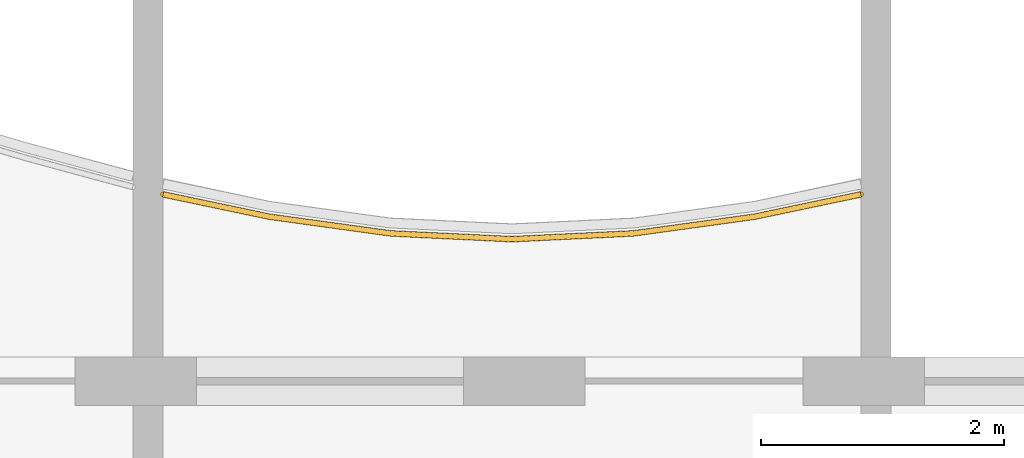
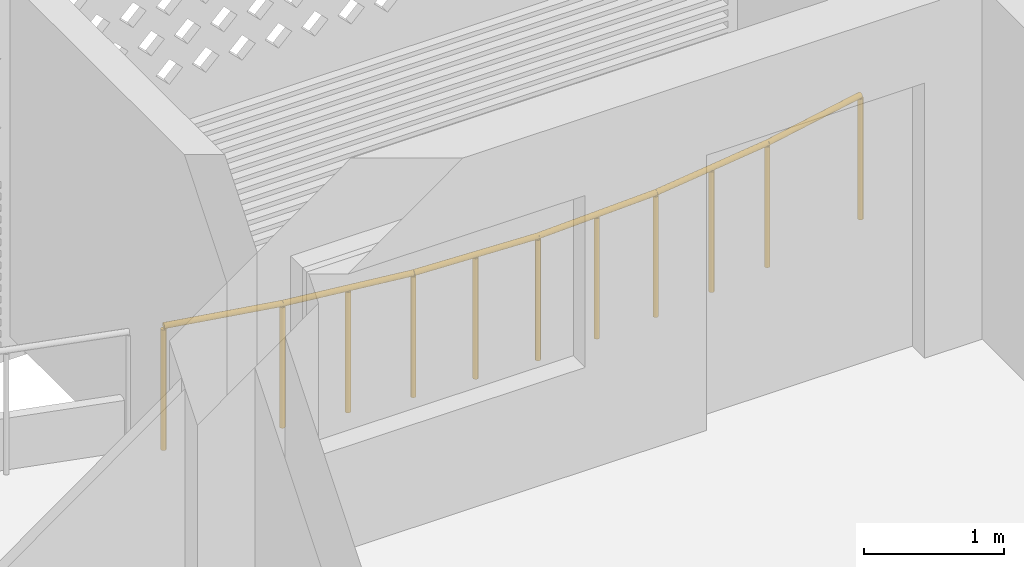
# One storey, part 18 of 27: 1 railing.
"""IFC4 building model written with IfcOpenShell, lengths in metres."""

from ifc_helpers import new_model, si_unit, direction, frame, origin, origin_2d, place, context, subcontext, project, spatial, circle, extrude, material, type_object, element, save


model = new_model("IFC4")

# Units and contexts
model_context = context("Model", 3, precision=1e-05, world=origin(), true_north=direction((0.0, 1.0)))
body_context = subcontext(model_context, "Body", "Model", "MODEL_VIEW")
ifc_project = project(units=[si_unit("LENGTHUNIT", "METRE"), si_unit("AREAUNIT", "SQUARE_METRE"), si_unit("VOLUMEUNIT", "CUBIC_METRE"), si_unit("PLANEANGLEUNIT", "RADIAN"), si_unit("MASSUNIT", "GRAM", prefix="KILO")], contexts=[model_context])

# Site, building, storey
site_placement = place(None, origin())
site = spatial("IfcSite", under=ifc_project, at=site_placement, CompositionType="ELEMENT")
building_placement = place(site_placement, origin())
building = spatial("IfcBuilding", under=site, at=building_placement, Name="Poui Terraces", CompositionType="ELEMENT")
storey_placement = place(building_placement, frame((0.0, 0.0, 251.10009765625)))
storey = spatial("IfcBuildingStorey", under=building, at=storey_placement, Name="L70", CompositionType="ELEMENT", Elevation=251.10009765625)

# Railing
ifc_material = material(Name="Painted steel fretwork", Category="steel")
railing_type = type_object("IfcRailingType", Name="BALCONY GUARD 1100", PredefinedType="GUARDRAIL", material=ifc_material)
railing_placement = place(storey_placement, frame((36.125, 42.7392578125, 0.0)))
element("IfcRailing", 1, at=railing_placement, inside=storey, type_object=railing_type, Name="BALCONY GUARD", PredefinedType="GUARDRAIL", context=body_context, shape_type="SweptSolid", body=[
    extrude(circle(Radius=0.02392578125, at=origin_2d()), frame((0.0, 0.0, 1.076171875), z_axis=(0.978633720926, -0.205611381657, 0.0), x_axis=(0.205611381657, 0.978633720926, 0.0)), (0.0, 0.0, 1.0), 0.89404296875),
    extrude(circle(Radius=0.02392578125, at=origin_2d()), frame((0.875, -0.183837890625, 1.076171875), z_axis=(0.990620000385, -0.136645581108, 0.0), x_axis=(0.136645581108, 0.990620000385, 0.0)), (0.0, 0.0, 1.0), 1.009521484375),
    extrude(circle(Radius=0.02392578125, at=origin_2d()), frame((1.875, -0.32177734375, 1.076171875), z_axis=(0.998880243389, -0.047310245903, 0.0), x_axis=(0.047310245903, 0.998880243389, 0.0)), (0.0, 0.0, 1.0), 1.001220703125),
    extrude(circle(Radius=0.02392578125, at=origin_2d()), frame((2.875, -0.369140625, 1.076171875), z_axis=(0.998880243389, 0.047310245903, 0.0), x_axis=(-0.047310245903, 0.998880243389, 0.0)), (0.0, 0.0, 1.0), 1.001220703125),
    extrude(circle(Radius=0.02392578125, at=origin_2d()), frame((3.875, -0.32177734375, 1.076171875), z_axis=(0.990620000385, 0.136645581108, 0.0), x_axis=(-0.136645581108, 0.990620000385, 0.0)), (0.0, 0.0, 1.0), 1.009521484375),
    extrude(circle(Radius=0.02392578125, at=origin_2d()), frame((4.875, -0.183837890625, 1.076171875), z_axis=(0.978633720926, 0.205611381657, 0.0), x_axis=(-0.205611381657, 0.978633720926, 0.0)), (0.0, 0.0, 1.0), 0.89404296875),
    extrude(circle(Radius=0.02099609375, at=origin_2d()), origin(), (0.0, 0.0, 1.0), 1.052001953125),
    extrude(circle(Radius=0.02099609375, at=origin_2d()), frame((0.875, -0.183837890625, 0.0)), (0.0, 0.0, 1.0), 1.052001953125),
    extrude(circle(Radius=0.02099609375, at=origin_2d()), frame((1.375, -0.2529296875, 0.0)), (0.0, 0.0, 1.0), 1.052001953125),
    extrude(circle(Radius=0.02099609375, at=origin_2d()), frame((1.875, -0.32177734375, 0.0)), (0.0, 0.0, 1.0), 1.052001953125),
    extrude(circle(Radius=0.02099609375, at=origin_2d()), frame((2.375, -0.345458984375, 0.0)), (0.0, 0.0, 1.0), 1.052001953125),
    extrude(circle(Radius=0.02099609375, at=origin_2d()), frame((2.875, -0.369140625, 0.0)), (0.0, 0.0, 1.0), 1.052001953125),
    extrude(circle(Radius=0.02099609375, at=origin_2d()), frame((3.375, -0.345458984375, 0.0)), (0.0, 0.0, 1.0), 1.052001953125),
    extrude(circle(Radius=0.02099609375, at=origin_2d()), frame((3.875, -0.32177734375, 0.0)), (0.0, 0.0, 1.0), 1.052001953125),
    extrude(circle(Radius=0.02099609375, at=origin_2d()), frame((4.375, -0.2529296875, 0.0)), (0.0, 0.0, 1.0), 1.052001953125),
    extrude(circle(Radius=0.02099609375, at=origin_2d()), frame((4.875, -0.183837890625, 0.0)), (0.0, 0.0, 1.0), 1.052001953125),
    extrude(circle(Radius=0.02099609375, at=origin_2d()), frame((5.75, 0.0, 0.0)), (0.0, 0.0, 1.0), 1.052001953125),
])

save(model, "model.ifc")
